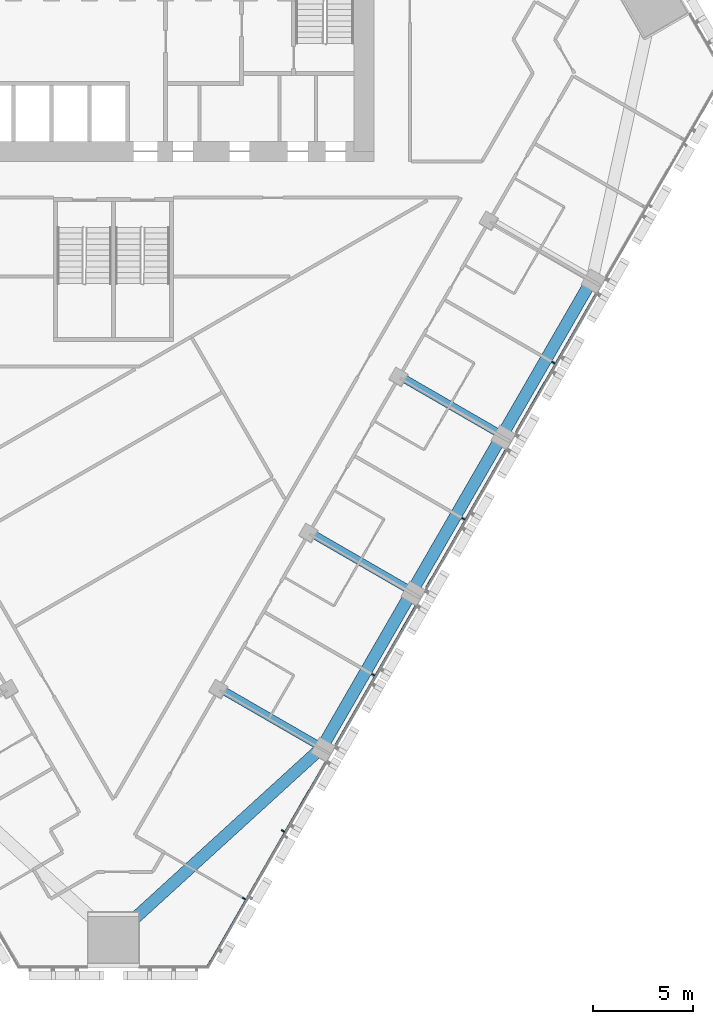
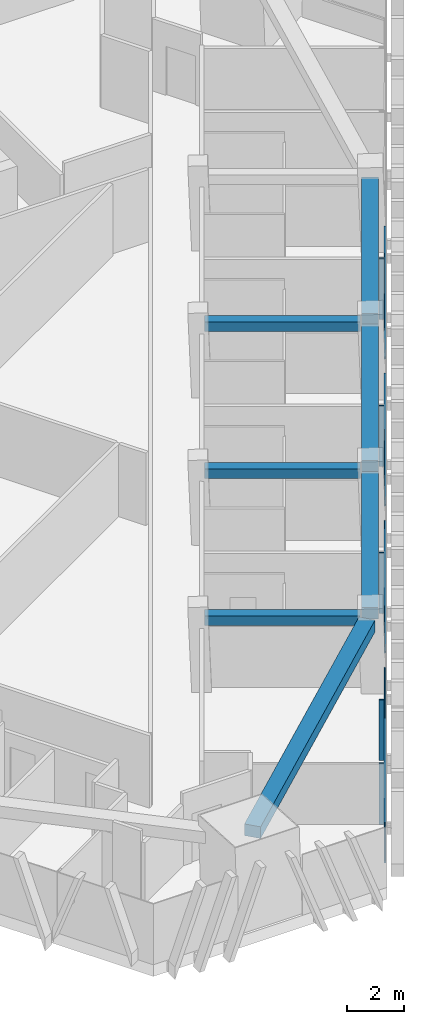
# One storey, part 4 of 17: 9 members, 7 beams, 1 element without a shape of its own.
"""IFC4 building model written with IfcOpenShell, lengths in metres."""

from ifc_helpers import new_model, si_unit, direction, frame, origin, origin_2d, place, context, subcontext, project, spatial, rectangle, extrude, material, layer, layer_set, material_profile, profile_set, type_object, element, aggregate, save


model = new_model("IFC4")

# Units and contexts
model_context = context("Model", 3, precision=1e-05, world=origin(), true_north=direction((0.0, 1.0)))
body_context = subcontext(model_context, "Body", "Model", "MODEL_VIEW")
ifc_project = project(units=[si_unit("LENGTHUNIT", "METRE"), si_unit("AREAUNIT", "SQUARE_METRE"), si_unit("VOLUMEUNIT", "CUBIC_METRE"), si_unit("PLANEANGLEUNIT", "RADIAN"), si_unit("MASSUNIT", "GRAM", prefix="KILO")], contexts=[model_context])

# Site, building, storey
site_placement = place(None, origin())
site = spatial("IfcSite", under=ifc_project, at=site_placement, CompositionType="ELEMENT")
building_placement = place(site_placement, origin())
building = spatial("IfcBuilding", under=site, at=building_placement, Name="Altiplano Prism Tower", CompositionType="ELEMENT")
storey_placement = place(building_placement, frame((0.0, 0.0, 52.199951171875)))
storey = spatial("IfcBuildingStorey", under=building, at=storey_placement, Name="L12", CompositionType="ELEMENT", Elevation=52.199951171875)

# Curtain wall, members
ifc_material_1 = material(Name="Aluminium and glass", Category="aluminium")
ifc_layer = layer(ifc_material_1, 0.280029296875)
ifc_layer_set = layer_set([ifc_layer], Name="Aluminium and glass")
curtain_wall_type = type_object("IfcCurtainWallType", Name="CW1 typical co-living unitised curtain wall", PredefinedType="NOTDEFINED", material=ifc_layer_set)
curtain_wall_placement = place(storey_placement, origin())
curtain_wall = element("IfcCurtainWall", 1, at=curtain_wall_placement, inside=storey, type_object=curtain_wall_type, Name="CW1 curtain wall south-east face L12", PredefinedType="NOTDEFINED")
ifc_material_2 = material(Name="Aluminium", Category="aluminium")
ifc_material_profile_1 = material_profile(ifc_material_2, rectangle(XDim=0.179931640625, YDim=0.06494140625, at=origin_2d()), Name="CW1 mullion 65 x 180")
ifc_profile_set_1 = profile_set([ifc_material_profile_1], Name="Aluminium")
member_type_1 = type_object("IfcMemberType", Name="CW1 mullion 65 x 180", PredefinedType="MULLION", material=ifc_profile_set_1)
member_1_placement = place(storey_placement, frame((91.51416015625, 55.602294921875, 0.0), z_axis=(0.0, 0.0, 1.0), x_axis=(-0.866025409151, 0.499999990704, 0.0)))
member_1 = element("IfcMember", 2, at=member_1_placement, type_object=member_type_1, Name="CW1 mullion", PredefinedType="MULLION", context=body_context, shape_type="SweptSolid", body=[
    extrude(rectangle(XDim=0.179931640625, YDim=0.06494140625, at=origin_2d()), origin(), (0.0, 0.0, 1.0), 2.60009765625),
])
member_2_placement = place(storey_placement, frame((93.462158203125, 58.976318359375, 0.0), z_axis=(0.0, 0.0, 1.0), x_axis=(-0.866025409151, 0.499999990704, 0.0)))
member_2 = element("IfcMember", 3, at=member_2_placement, type_object=member_type_1, Name="CW1 mullion", PredefinedType="MULLION", context=body_context, shape_type="SweptSolid", body=[
    extrude(rectangle(XDim=0.179931640625, YDim=0.06494140625, at=origin_2d()), origin(), (0.0, 0.0, 1.0), 2.60009765625),
])
member_3_placement = place(storey_placement, frame((97.962158203125, 66.7705078125, 0.0), z_axis=(0.0, 0.0, 1.0), x_axis=(-0.866025409151, 0.499999990704, 0.0)))
member_3 = element("IfcMember", 4, at=member_3_placement, type_object=member_type_1, Name="CW1 mullion", PredefinedType="MULLION", context=body_context, shape_type="SweptSolid", body=[
    extrude(rectangle(XDim=0.179931640625, YDim=0.06494140625, at=origin_2d()), origin(), (0.0, 0.0, 1.0), 2.60009765625),
])
member_4_placement = place(storey_placement, frame((102.462158203125, 74.56494140625, 0.0), z_axis=(0.0, 0.0, 1.0), x_axis=(-0.866025409151, 0.499999990704, 0.0)))
member_4 = element("IfcMember", 5, at=member_4_placement, type_object=member_type_1, Name="CW1 mullion", PredefinedType="MULLION", context=body_context, shape_type="SweptSolid", body=[
    extrude(rectangle(XDim=0.179931640625, YDim=0.06494140625, at=origin_2d()), origin(), (0.0, 0.0, 1.0), 2.60009765625),
])
member_5_placement = place(storey_placement, frame((106.962158203125, 82.359130859375, 0.0), z_axis=(0.0, 0.0, 1.0), x_axis=(-0.866025409151, 0.499999990704, 0.0)))
member_5 = element("IfcMember", 6, at=member_5_placement, type_object=member_type_1, Name="CW1 mullion", PredefinedType="MULLION", context=body_context, shape_type="SweptSolid", body=[
    extrude(rectangle(XDim=0.179931640625, YDim=0.06494140625, at=origin_2d()), origin(), (0.0, 0.0, 1.0), 2.60009765625),
])
ifc_material_profile_2 = material_profile(ifc_material_2, rectangle(XDim=0.06005859375, YDim=0.080078125, at=origin_2d()), Name="CW1 transom 80 x 60")
ifc_profile_set_2 = profile_set([ifc_material_profile_2], Name="Aluminium")
member_type_2 = type_object("IfcMemberType", Name="CW1 transom 80 x 60", PredefinedType="USERDEFINED", material=ifc_profile_set_2)
member_6_placement = place(storey_placement, frame((89.669921875, 52.168212890625, 1.10009765625), z_axis=(0.499999679801, 0.866025588651, 0.0), x_axis=(-0.866025588651, 0.499999679801, 0.0)))
member_6 = element("IfcMember", 7, at=member_6_placement, type_object=member_type_2, Name="CW1 transom", ObjectType="TRANSOM", PredefinedType="USERDEFINED", context=body_context, shape_type="SweptSolid", body=[
    extrude(rectangle(XDim=0.06005859375, YDim=0.080078125, at=origin_2d()), origin(), (0.0, 0.0, 1.0), 11.84130859375),
])
member_7_placement = place(storey_placement, frame((96.080810546875, 63.27197265625, 1.10009765625), z_axis=(0.499989486807, 0.866031473494, 0.0), x_axis=(-0.866031473494, 0.499989486807, 0.0)))
member_7 = element("IfcMember", 8, at=member_7_placement, type_object=member_type_2, Name="CW1 transom", ObjectType="TRANSOM", PredefinedType="USERDEFINED", context=body_context, shape_type="SweptSolid", body=[
    extrude(rectangle(XDim=0.06005859375, YDim=0.080078125, at=origin_2d()), origin(), (0.0, 0.0, 1.0), 8.019775390625),
])
member_8_placement = place(storey_placement, frame((100.580810546875, 71.066162109375, 1.10009765625), z_axis=(0.499976305243, 0.866039083527, 0.0), x_axis=(-0.866039083527, 0.499976305243, 0.0)))
member_8 = element("IfcMember", 9, at=member_8_placement, type_object=member_type_2, Name="CW1 transom", ObjectType="TRANSOM", PredefinedType="USERDEFINED", context=body_context, shape_type="SweptSolid", body=[
    extrude(rectangle(XDim=0.06005859375, YDim=0.080078125, at=origin_2d()), origin(), (0.0, 0.0, 1.0), 8.02001953125),
])
member_9_placement = place(storey_placement, frame((105.080810546875, 78.8603515625, 1.10009765625), z_axis=(0.499976305243, 0.866039083527, 0.0), x_axis=(-0.866039083527, 0.499976305243, 0.0)))
member_9 = element("IfcMember", 10, at=member_9_placement, type_object=member_type_2, Name="CW1 transom", ObjectType="TRANSOM", PredefinedType="USERDEFINED", context=body_context, shape_type="SweptSolid", body=[
    extrude(rectangle(XDim=0.06005859375, YDim=0.080078125, at=origin_2d()), origin(), (0.0, 0.0, 1.0), 8.02001953125),
])
aggregate(curtain_wall, [member_1, member_2, member_6, member_3, member_7, member_4, member_8, member_5, member_9])

# Beams
ifc_material_3 = material(Name="Concrete C60/75", Category="concrete")
ifc_material_profile_3 = material_profile(ifc_material_3, rectangle(XDim=0.60009765625, YDim=0.5, at=origin_2d()), Name="Edge beam 600x500")
ifc_profile_set_3 = profile_set([ifc_material_profile_3], Name="Concrete C60/75")
beam_type_1 = type_object("IfcBeamType", Name="Edge beam 600x500", PredefinedType="SPANDREL", material=ifc_profile_set_3)
beam_placement = place(storey_placement, frame((85.332275390625, 53.947021484375, 2.85009765625), z_axis=(0.738616746643, 0.674125582943, 0.0), x_axis=(-0.674125582943, 0.738616746643, 0.0)))
element("IfcBeam", 11, at=beam_placement, inside=storey, type_object=beam_type_1, Name="Edge beam M1-P21 L13", PredefinedType="SPANDREL", context=body_context, shape_type="SweptSolid", body=[
    extrude(rectangle(XDim=0.60009765625, YDim=0.5, at=origin_2d()), origin(), (0.0, 0.0, 1.0), 13.28759765625),
])
for number, where, z_axis, x_axis, name in (
    (12, (95.572021484375, 63.427734375, 2.85009765625), (0.499992746786, 0.866029591389, 0.0), (-0.866029591389, 0.499992746786, 0.0), "Edge beam P21-P22 L13"),
    (13, (100.072021484375, 71.221923828125, 2.85009765625), (0.499992746786, 0.866029591389, 0.0), (-0.866029591389, 0.499992746786, 0.0), "Edge beam P22-P23 L13"),
    (14, (104.572021484375, 79.016357421875, 2.85009765625), (0.499992746786, 0.866029591389, 0.0), (-0.866029591389, 0.499992746786, 0.0), "Edge beam P23-P24 L13"),
):
    element("IfcBeam", number, at=place(storey_placement, frame(where, z_axis=z_axis, x_axis=x_axis)), inside=storey, type_object=beam_type_1, Name=name, PredefinedType="SPANDREL", context=body_context, shape_type="SweptSolid", body=[
        extrude(rectangle(XDim=0.60009765625, YDim=0.5, at=origin_2d()), origin(), (0.0, 0.0, 1.0), 8.33984375),
    ])
ifc_material_profile_4 = material_profile(ifc_material_3, rectangle(XDim=0.39990234375, YDim=0.39990234375, at=origin_2d()), Name="Tie beam 400x400")
ifc_profile_set_4 = profile_set([ifc_material_profile_4], Name="Concrete C60/75")
beam_type_2 = type_object("IfcBeamType", Name="Tie beam 400x400", PredefinedType="BEAM", material=ifc_profile_set_4)
for number, where, z_axis, x_axis, name in (
    (15, (90.36669921875, 66.052001953125, 2.900146484375), (0.866031549307, -0.499989355492, 0.0), (0.499989355492, 0.866031549307, 0.0), "Tie beam I21 L13"),
    (16, (94.86669921875, 73.84619140625, 2.900146484375), (0.866031549307, -0.499989355492, 0.0), (0.499989355492, 0.866031549307, 0.0), "Tie beam I22 L13"),
    (17, (99.36669921875, 81.640380859375, 2.900146484375), (0.866031549307, -0.499989355492, 0.0), (0.499989355492, 0.866031549307, 0.0), "Tie beam I23 L13"),
):
    element("IfcBeam", number, at=place(storey_placement, frame(where, z_axis=z_axis, x_axis=x_axis)), inside=storey, type_object=beam_type_2, Name=name, PredefinedType="BEAM", context=body_context, shape_type="SweptSolid", body=[
        extrude(rectangle(XDim=0.39990234375, YDim=0.39990234375, at=origin_2d()), origin(), (0.0, 0.0, 1.0), 5.48974609375),
    ])

save(model, "model.ifc")
